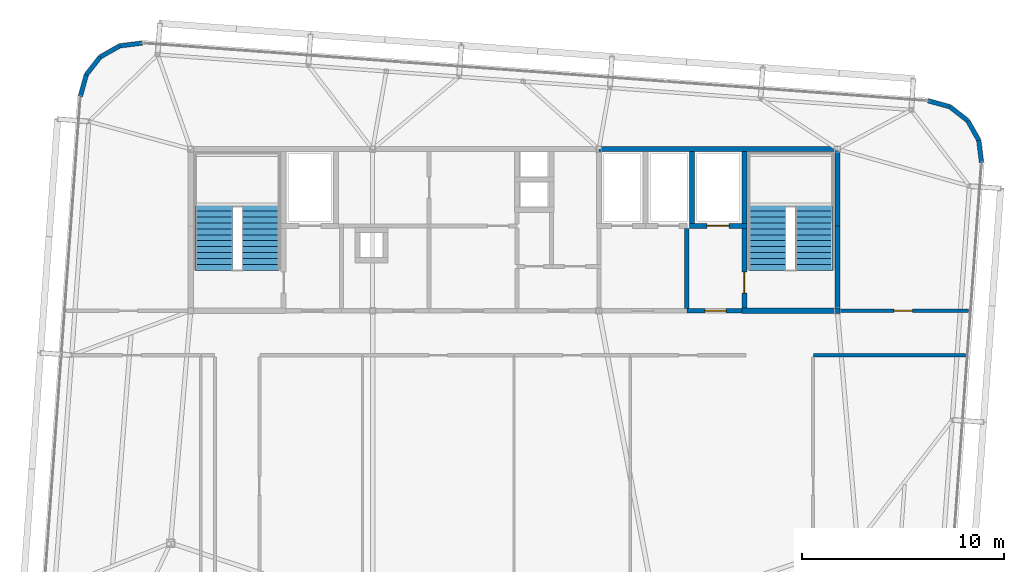
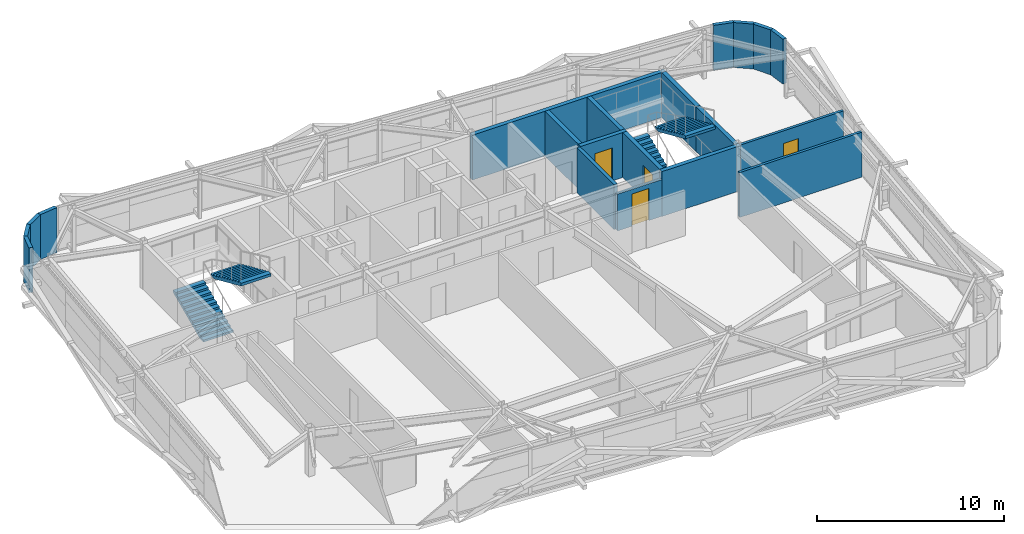
# One storey, part 33 of 34: 20 walls, 4 doors, 4 stair flights, 4 openings, 2 elements without a shape of their own.
"""IFC4 building model written with IfcOpenShell, lengths in metres."""

from ifc_helpers import new_model, si_unit, direction, frame, frame_2d, origin, place, context, subcontext, project, spatial, polyline, rectangle, outline, extrude, source, transform, mapped, material, layer, layer_set, type_object, element, fill, aggregate, save


model = new_model("IFC4")

# Units and contexts
model_context = context("Model", 3, precision=1e-05, world=origin(), true_north=direction((0.0, 1.0)))
body_context = subcontext(model_context, "Body", "Model", "MODEL_VIEW")
ifc_project = project(units=[si_unit("LENGTHUNIT", "METRE"), si_unit("AREAUNIT", "SQUARE_METRE"), si_unit("VOLUMEUNIT", "CUBIC_METRE"), si_unit("PLANEANGLEUNIT", "RADIAN"), si_unit("MASSUNIT", "GRAM", prefix="KILO")], contexts=[model_context])

# Site, building, storey
site_placement = place(None, origin())
site = spatial("IfcSite", under=ifc_project, at=site_placement, CompositionType="ELEMENT")
building_placement = place(site_placement, origin())
building = spatial("IfcBuilding", under=site, at=building_placement, Name="Taldren Reach Tower", CompositionType="ELEMENT")
storey_placement = place(building_placement, frame((0.0, 0.0, 246.050048828125)))
storey = spatial("IfcBuildingStorey", under=building, at=storey_placement, Name="L75", CompositionType="ELEMENT", Elevation=246.050048828125)

# Walls
ifc_material_1 = material(Name="Pale Champagne Anodised Aluminium Cladding", Category="aluminium")
ifc_layer_1 = layer(ifc_material_1, 0.04, Name="Pale Champagne Anodised Aluminium Cladding", Category="aluminium")
ifc_material_2 = material(Name="Mineral Wool Acoustic Insulation", Category="insulation")
ifc_layer_2 = layer(ifc_material_2, 0.06, Name="Mineral Wool Acoustic Insulation", Category="insulation")
ifc_material_3 = material(Name="Steel Gr 350 (C350L0)", Category="steel")
ifc_layer_3 = layer(ifc_material_3, 0.12, Name="Steel Gr 350 (C350L0)", Category="steel")
ifc_layer_set_1 = layer_set([ifc_layer_1, ifc_layer_2, ifc_layer_3], Name="Pale Champagne Aluminium Cladding and Steel Gr 350 Stud Framing")
wall_type_1 = type_object("IfcWallType", Name="EW-CRN-220", PredefinedType="SOLIDWALL", material=ifc_layer_set_1)
shared_shape_1 = source(origin(), body_context, "Body", "SweptSolid", [
    extrude(rectangle(XDim=1.115966796875, YDim=0.219970703125, at=frame_2d((0.55810546875, 0.0))), origin(), (0.0, 0.0, 1.0), 2.929931640625),
])
for number, where, z_axis, x_axis, name in (
    (1, (58.137451171875, 31.328125, 0.0), (0.0, 0.0, 1.0), (-0.122742076028, 0.992438604032, 0.0), "Rounded-corner pale-metal facade wall L75-NE1"),
    (2, (57.4501953125, 33.40625, 0.0), (0.0, 0.0, 1.0), (-0.788597772321, 0.614909386406, 0.0), "Rounded-corner pale-metal facade wall L75-NE3"),
    (3, (14.52099609375, 36.558837890625, 0.0), (0.0, 0.0, 1.0), (-0.614909386406, -0.788597772321, 0.0), "Rounded-corner pale-metal facade wall L75-NW3"),
):
    element("IfcWall", number, at=place(storey_placement, frame(where, z_axis=z_axis, x_axis=x_axis)), inside=storey, type_object=wall_type_1, Name=name, PredefinedType="SOLIDWALL", context=body_context, shape_type="MappedRepresentation", body=[
        mapped(shared_shape_1, transform((0.0, 0.0, 0.0), scale=1.0)),
    ])
shared_shape_2 = source(origin(), body_context, "Body", "SweptSolid", [
    extrude(rectangle(XDim=1.11572265625, YDim=0.219970703125, at=frame_2d((0.557861328125, 0.0))), origin(), (0.0, 0.0, 1.0), 2.929931640625),
])
for number, where, z_axis, x_axis, name in (
    (4, (58.00048828125, 32.435546875, 0.0), (0.0, 0.0, 1.0), (-0.493167138628, 0.869934579941, 0.0), "Rounded-corner pale-metal facade wall L75-NE2"),
    (5, (56.570068359375, 34.092529296875, 0.0), (0.0, 0.0, 1.0), (-0.963833843713, 0.266503886865, 0.0), "Rounded-corner pale-metal facade wall L75-NE4"),
    (6, (15.49169921875, 37.109130859375, 0.0), (0.0, 0.0, 1.0), (-0.869934579941, -0.493167138628, 0.0), "Rounded-corner pale-metal facade wall L75-NW2"),
    (7, (13.834716796875, 35.6787109375, 0.0), (0.0, 0.0, 1.0), (-0.266300605026, -0.963890028874, 0.0), "Rounded-corner pale-metal facade wall L75-NW4"),
):
    element("IfcWall", number, at=place(storey_placement, frame(where, z_axis=z_axis, x_axis=x_axis)), inside=storey, type_object=wall_type_1, Name=name, PredefinedType="SOLIDWALL", context=body_context, shape_type="MappedRepresentation", body=[
        mapped(shared_shape_2, transform((0.0, 0.0, 0.0), scale=1.0)),
    ])
shared_shape_3 = source(origin(), body_context, "Body", "SweptSolid", [
    extrude(rectangle(XDim=1.1162109375, YDim=0.219970703125, at=frame_2d((0.55810546875, 0.0))), origin(), (0.0, 0.0, 1.0), 2.929931640625),
])
wall_1_placement = place(storey_placement, frame((16.599365234375, 37.24609375, 0.0), z_axis=(0.0, 0.0, 1.0), x_axis=(-0.992441899189, -0.122715429897, 0.0)))
element("IfcWall", 8, at=wall_1_placement, inside=storey, type_object=wall_type_1, Name="Rounded-corner pale-metal facade wall L75-NW1", PredefinedType="SOLIDWALL", context=body_context, shape_type="MappedRepresentation", body=[
    mapped(shared_shape_3, transform((0.0, 0.0, 0.0), scale=1.0)),
])
ifc_material_4 = material(Name="Concrete S65 (65 MPa)", Category="concrete")
ifc_layer_4 = layer(ifc_material_4, 0.25)
ifc_layer_set_2 = layer_set([ifc_layer_4], Name="Concrete S65 (65 MPa)")
wall_type_2 = type_object("IfcWallType", Name="IW-CORE-250", PredefinedType="SHEAR", material=ifc_layer_set_2)
shared_shape_4 = source(origin(), body_context, "Body", "SweptSolid", [
    extrude(rectangle(XDim=11.925048828125, YDim=0.25, at=frame_2d((5.96240234375, 0.0))), origin(), (0.0, 0.0, 1.0), 2.929931640625),
])
wall_2_placement = place(storey_placement, frame((39.199951171875, 32.0, 0.0), z_axis=(0.0, 0.0, 1.0), x_axis=(1.0, 0.0, 0.0)))
element("IfcWall", 9, at=wall_2_placement, inside=storey, type_object=wall_type_2, Name="Rear Core Shear Wall W-CORE-L75-NORTH3", PredefinedType="SHEAR", context=body_context, shape_type="MappedRepresentation", body=[
    mapped(shared_shape_4, transform((0.0, 0.0, 0.0), scale=1.0)),
])
shared_shape_5 = source(origin(), body_context, "Body", "SweptSolid", [
    extrude(rectangle(XDim=4.074951171875, YDim=0.25, at=frame_2d((2.03759765625, 0.0))), origin(), (0.0, 0.0, 1.0), 2.929931640625),
])
wall_3_placement = place(storey_placement, frame((51.0, 24.125, 0.0), z_axis=(0.0, 0.0, 1.0), x_axis=(0.0, 1.0, 0.0)))
element("IfcWall", 10, at=wall_3_placement, inside=storey, type_object=wall_type_2, Name="Rear Core Shear Wall W-CORE-L75-EAST1", PredefinedType="SHEAR", context=body_context, shape_type="MappedRepresentation", body=[
    mapped(shared_shape_5, transform((0.0, 0.0, 0.0), scale=1.0)),
])
shared_shape_6 = source(origin(), body_context, "Body", "SweptSolid", [
    extrude(rectangle(XDim=3.675048828125, YDim=0.25, at=frame_2d((1.83740234375, 0.0))), origin(), (0.0, 0.0, 1.0), 2.929931640625),
])
wall_4_placement = place(storey_placement, frame((51.0, 28.199951171875, 0.0), z_axis=(0.0, 0.0, 1.0), x_axis=(0.0, 1.0, 0.0)))
element("IfcWall", 11, at=wall_4_placement, inside=storey, type_object=wall_type_2, Name="Rear Core Shear Wall W-CORE-L75-EAST2", PredefinedType="SHEAR", context=body_context, shape_type="MappedRepresentation", body=[
    mapped(shared_shape_6, transform((0.0, 0.0, 0.0), scale=1.0)),
])
shared_shape_7 = source(origin(), body_context, "Body", "SweptSolid", [
    extrude(rectangle(XDim=3.550048828125, YDim=0.25, at=frame_2d((1.77490234375, 0.0))), origin(), (0.0, 0.0, 1.0), 2.929931640625),
])
for number, where, z_axis, x_axis, name in (
    (12, (46.39990234375, 31.875, 0.0), (0.0, 0.0, 1.0), (0.0, -1.0, 0.0), "Rear Core Shear Wall W-INT-L75-008"),
    (13, (43.800048828125, 31.875, 0.0), (0.0, 0.0, 1.0), (0.0, -1.0, 0.0), "Rear Core Shear Wall W-INT-L75-012"),
):
    element("IfcWall", number, at=place(storey_placement, frame(where, z_axis=z_axis, x_axis=x_axis)), inside=storey, type_object=wall_type_2, Name=name, PredefinedType="SHEAR", context=body_context, shape_type="MappedRepresentation", body=[
        mapped(shared_shape_7, transform((0.0, 0.0, 0.0), scale=1.0)),
    ])

# Wall, opening, door
shared_shape_8 = source(origin(), body_context, "Body", "SweptSolid", [
    extrude(rectangle(XDim=3.949951171875, YDim=0.25, at=frame_2d((1.97509765625, 0.0))), origin(), (0.0, 0.0, 1.0), 2.929931640625),
])
wall_5_placement = place(storey_placement, frame((46.39990234375, 28.074951171875, 0.0), z_axis=(0.0, 0.0, 1.0), x_axis=(0.0, -1.0, 0.0)))
wall_5 = element("IfcWall", 14, at=wall_5_placement, inside=storey, type_object=wall_type_2, Name="Rear Core Shear Wall W-INT-L75-009", PredefinedType="SHEAR", context=body_context, shape_type="MappedRepresentation", body=[
    mapped(shared_shape_8, transform((0.0, 0.0, 0.0), scale=1.0)),
])
shared_shape_9 = source(origin(), body_context, "Body", "SweptSolid", [
    extrude(rectangle(XDim=1.050048828125, YDim=2.10009765625, at=frame_2d((0.52490234375, 1.050048828125))), frame((0.0, 0.135009765625, 0.0), z_axis=(0.0, -1.0, 0.0), x_axis=(1.0, 0.0, 0.0)), (0.0, 0.0, 1.0), 0.27001953125),
])
opening_1_placement = place(wall_5_placement, frame((2.14990234375, 0.0, 0.0)))
opening_1 = element("IfcOpeningElement", 15, at=opening_1_placement, cuts=wall_5, Name="Opening DF-105", PredefinedType="OPENING", context=body_context, shape_type="MappedRepresentation", body=[
    mapped(shared_shape_9, transform((0.0, 0.0, 0.0), scale=1.0)),
])
ifc_material_5 = material(Name="Fire-Rated Care and Stair Exit Door")
door_type_1 = type_object("IfcDoorType", Name="ID-FIRE-105", OperationType="NOTDEFINED", PredefinedType="DOOR", material=ifc_material_5)
shared_shape_10 = source(origin(), body_context, "Body", "SweptSolid", [
    extrude(rectangle(XDim=1.050048828125, YDim=2.10009765625, at=frame_2d((0.52490234375, 1.050048828125))), frame((0.0, 0.02490234375, 0.0), z_axis=(0.0, -1.0, 0.0), x_axis=(1.0, 0.0, 0.0)), (0.0, 0.0, 1.0), 0.050048828125),
])
door_1_placement = place(opening_1_placement, origin())
door_1 = element("IfcDoor", 16, at=door_1_placement, inside=storey, type_object=door_type_1, Name="Fire Exit Stair Door DR-L75-003", OperationType="SINGLE_SWING_RIGHT", OverallHeight=2.10009765625, OverallWidth=1.050048828125, PredefinedType="DOOR", context=body_context, shape_type="MappedRepresentation", body=[
    mapped(shared_shape_10, transform((0.0, 0.0, 0.0), scale=1.0)),
])
fill(opening_1, door_1)

# Wall
shared_shape_11 = source(origin(), body_context, "Body", "SweptSolid", [
    extrude(rectangle(XDim=4.85009765625, YDim=0.25, at=frame_2d((2.425048828125, 0.0))), origin(), (0.0, 0.0, 1.0), 2.929931640625),
])
wall_6_placement = place(storey_placement, frame((46.27490234375, 24.0, 0.0), z_axis=(0.0, 0.0, 1.0), x_axis=(1.0, 0.0, 0.0)))
element("IfcWall", 17, at=wall_6_placement, inside=storey, type_object=wall_type_2, Name="Rear Core Shear Wall W-INT-L75-010", PredefinedType="SHEAR", context=body_context, shape_type="MappedRepresentation", body=[
    mapped(shared_shape_11, transform((0.0, 0.0, 0.0), scale=1.0)),
])

# Wall, opening, door
shared_shape_12 = source(origin(), body_context, "Body", "SweptSolid", [
    extrude(rectangle(XDim=2.849853515625, YDim=0.25, at=frame_2d((1.4248046875, 0.0))), origin(), (0.0, 0.0, 1.0), 2.929931640625),
])
wall_7_placement = place(storey_placement, frame((43.675048828125, 28.199951171875, 0.0), z_axis=(0.0, 0.0, 1.0), x_axis=(1.0, 0.0, 0.0)))
wall_7 = element("IfcWall", 18, at=wall_7_placement, inside=storey, type_object=wall_type_2, Name="Rear Core Shear Wall W-INT-L75-011", PredefinedType="SHEAR", context=body_context, shape_type="MappedRepresentation", body=[
    mapped(shared_shape_12, transform((0.0, 0.0, 0.0), scale=1.0)),
])
shared_shape_13 = source(origin(), body_context, "Body", "SweptSolid", [
    extrude(rectangle(XDim=1.10009765625, YDim=2.14990234375, at=frame_2d((0.550048828125, 1.074951171875))), frame((0.0, 0.135009765625, 0.0), z_axis=(0.0, -1.0, 0.0), x_axis=(1.0, 0.0, 0.0)), (0.0, 0.0, 1.0), 0.27001953125),
])
opening_2_placement = place(wall_7_placement, frame((0.875, 0.0, 0.0)))
opening_2 = element("IfcOpeningElement", 19, at=opening_2_placement, cuts=wall_7, Name="Opening LD-FL2", PredefinedType="OPENING", context=body_context, shape_type="MappedRepresentation", body=[
    mapped(shared_shape_13, transform((0.0, 0.0, 0.0), scale=1.0)),
])
ifc_material_6 = material(Name="Stainless Steel Gr 316 Emergency Lift Landing Door", Category="steel")
door_type_2 = type_object("IfcDoorType", Name="LD-EMG-110", OperationType="SLIDING_TO_LEFT", PredefinedType="DOOR", material=ifc_material_6)
shared_shape_14 = source(origin(), body_context, "Body", "SweptSolid", [
    extrude(rectangle(XDim=1.10009765625, YDim=2.14990234375, at=frame_2d((0.550048828125, 1.074951171875))), frame((0.0, 0.02490234375, 0.0), z_axis=(0.0, -1.0, 0.0), x_axis=(1.0, 0.0, 0.0)), (0.0, 0.0, 1.0), 0.050048828125),
])
door_2_placement = place(opening_2_placement, origin())
door_2 = element("IfcDoor", 20, at=door_2_placement, inside=storey, type_object=door_type_2, Name="Lift Landing Door LD-FL2-L75", OperationType="SLIDING_TO_LEFT", OverallHeight=2.14990234375, OverallWidth=1.10009765625, PredefinedType="DOOR", context=body_context, shape_type="MappedRepresentation", body=[
    mapped(shared_shape_14, transform((0.0, 0.0, 0.0), scale=1.0)),
])
fill(opening_2, door_2)

# Wall
ifc_material_7 = material(Name="Concrete S50 (50 MPa)", Category="concrete")
ifc_layer_5 = layer(ifc_material_7, 0.199951171875)
ifc_layer_set_3 = layer_set([ifc_layer_5], Name="Concrete S50 (50 MPa)")
wall_type_3 = type_object("IfcWallType", Name="IW-CORE-200", PredefinedType="SOLIDWALL", material=ifc_layer_set_3)
shared_shape_15 = source(origin(), body_context, "Body", "SweptSolid", [
    extrude(rectangle(XDim=3.974853515625, YDim=0.199951171875, at=frame_2d((1.9873046875, 0.0))), origin(), (0.0, 0.0, 1.0), 2.929931640625),
])
wall_8_placement = place(storey_placement, frame((43.550048828125, 28.074951171875, 0.0), z_axis=(0.0, 0.0, 1.0), x_axis=(0.0, -1.0, 0.0)))
element("IfcWall", 21, at=wall_8_placement, inside=storey, type_object=wall_type_3, Name="Rear Core Shear Wall W-INT-L75-013", PredefinedType="SOLIDWALL", context=body_context, shape_type="MappedRepresentation", body=[
    mapped(shared_shape_15, transform((0.0, 0.0, 0.0), scale=1.0)),
])

# Wall, opening, door
shared_shape_16 = source(origin(), body_context, "Body", "SweptSolid", [
    extrude(rectangle(XDim=2.724853515625, YDim=0.199951171875, at=frame_2d((1.3623046875, 0.0))), origin(), (0.0, 0.0, 1.0), 2.39697265625),
])
wall_9_placement = place(storey_placement, frame((43.550048828125, 24.0, 0.0), z_axis=(0.0, 0.0, 1.0), x_axis=(1.0, 0.0, 0.0)))
wall_9 = element("IfcWall", 22, at=wall_9_placement, inside=storey, type_object=wall_type_3, Name="Rear Core Shear Wall W-INT-L75-014", PredefinedType="SOLIDWALL", context=body_context, shape_type="MappedRepresentation", body=[
    mapped(shared_shape_16, transform((0.0, 0.0, 0.0), scale=1.0)),
])
shared_shape_17 = source(origin(), body_context, "Body", "SweptSolid", [
    extrude(rectangle(XDim=1.050048828125, YDim=2.10009765625, at=frame_2d((0.52490234375, 1.050048828125))), frame((0.0, 0.10986328125, 0.0), z_axis=(0.0, -1.0, 0.0), x_axis=(1.0, 0.0, 0.0)), (0.0, 0.0, 1.0), 0.219970703125),
])
opening_3_placement = place(wall_9_placement, frame((0.89990234375, 0.0, 0.0)))
opening_3 = element("IfcOpeningElement", 23, at=opening_3_placement, cuts=wall_9, Name="Opening DF-105", PredefinedType="OPENING", context=body_context, shape_type="MappedRepresentation", body=[
    mapped(shared_shape_17, transform((0.0, 0.0, 0.0), scale=1.0)),
])
door_3_placement = place(opening_3_placement, origin())
door_3 = element("IfcDoor", 24, at=door_3_placement, inside=storey, type_object=door_type_1, Name="Interior Door DR-L75-004", OperationType="SINGLE_SWING_LEFT", OverallHeight=2.10009765625, OverallWidth=1.050048828125, PredefinedType="DOOR", context=body_context, shape_type="MappedRepresentation", body=[
    mapped(shared_shape_10, transform((0.0, 0.0, 0.0), scale=1.0)),
])
fill(opening_3, door_3)

ifc_material_8 = material(Name="Fire-Rated Acoustic Plasterboard Stud Wall", Category="gypsum")
ifc_layer_6 = layer(ifc_material_8, 0.159912109375)
ifc_layer_set_4 = layer_set([ifc_layer_6], Name="Fire-Rated Acoustic Plasterboard Stud Wall")
wall_type_4 = type_object("IfcWallType", Name="IW-FIRE-160", PredefinedType="PARTITIONING", material=ifc_layer_set_4)
shared_shape_18 = source(origin(), body_context, "Body", "SweptSolid", [
    extrude(rectangle(XDim=6.378173828125, YDim=0.159912109375, at=frame_2d((3.18896484375, 0.0))), origin(), (0.0, 0.0, 1.0), 2.929931640625),
])
wall_10_placement = place(storey_placement, frame((51.125, 24.0, 0.0), z_axis=(0.0, 0.0, 1.0), x_axis=(1.0, 0.0, 0.0)))
wall_10 = element("IfcWall", 25, at=wall_10_placement, inside=storey, type_object=wall_type_4, Name="Interior Partition Wall W-INT-L75-054", PredefinedType="PARTITIONING", context=body_context, shape_type="MappedRepresentation", body=[
    mapped(shared_shape_18, transform((0.0, 0.0, 0.0), scale=1.0)),
])
shared_shape_19 = source(origin(), body_context, "Body", "SweptSolid", [
    extrude(rectangle(XDim=0.919921875, YDim=2.10009765625, at=frame_2d((0.4599609375, 1.050048828125))), frame((0.0, 0.08984375, 0.0), z_axis=(0.0, -1.0, 0.0), x_axis=(1.0, 0.0, 0.0)), (0.0, 0.0, 1.0), 0.179931640625),
])
opening_4_placement = place(wall_10_placement, frame((2.6767578125, 0.0, 0.0)))
opening_4 = element("IfcOpeningElement", 26, at=opening_4_placement, cuts=wall_10, Name="Opening DI-092", PredefinedType="OPENING", context=body_context, shape_type="MappedRepresentation", body=[
    mapped(shared_shape_19, transform((0.0, 0.0, 0.0), scale=1.0)),
])
ifc_material_9 = material(Name="Solid-Core Timber Suite Door", Category="wood")
door_type_3 = type_object("IfcDoorType", Name="ID-INT-092", OperationType="NOTDEFINED", PredefinedType="DOOR", material=ifc_material_9)
shared_shape_20 = source(origin(), body_context, "Body", "SweptSolid", [
    extrude(rectangle(XDim=0.919921875, YDim=2.10009765625, at=frame_2d((0.4599609375, 1.050048828125))), frame((0.0, 0.02490234375, 0.0), z_axis=(0.0, -1.0, 0.0), x_axis=(1.0, 0.0, 0.0)), (0.0, 0.0, 1.0), 0.050048828125),
])
door_4_placement = place(opening_4_placement, origin())
door_4 = element("IfcDoor", 27, at=door_4_placement, inside=storey, type_object=door_type_3, Name="Interior Door DR-L75-018", OperationType="SINGLE_SWING_LEFT", OverallHeight=2.10009765625, OverallWidth=0.919921875, PredefinedType="DOOR", context=body_context, shape_type="MappedRepresentation", body=[
    mapped(shared_shape_20, transform((0.0, 0.0, 0.0), scale=1.0)),
])
fill(opening_4, door_4)

# Wall
shared_shape_21 = source(origin(), body_context, "Body", "SweptSolid", [
    extrude(rectangle(XDim=7.532958984375, YDim=0.159912109375, at=frame_2d((3.7666015625, 0.0))), origin(), (0.0, 0.0, 1.0), 2.929931640625),
])
wall_11_placement = place(storey_placement, frame((57.353271484375, 21.800048828125, 0.0), z_axis=(0.0, 0.0, 1.0), x_axis=(-1.0, 0.0, 0.0)))
element("IfcWall", 28, at=wall_11_placement, inside=storey, type_object=wall_type_4, Name="Interior Partition Wall W-INT-L75-058", PredefinedType="PARTITIONING", context=body_context, shape_type="MappedRepresentation", body=[
    mapped(shared_shape_21, transform((0.0, 0.0, 0.0), scale=1.0)),
])

# Stair, stair flights
stair_type = type_object("IfcStairType", Name="ST-HT-315", PredefinedType="HALF_TURN_STAIR", material=ifc_material_7)
stair_1_placement = place(storey_placement, origin())
stair_1 = element("IfcStair", 29, at=stair_1_placement, inside=storey, type_object=stair_type, Name="Fire-isolated exit stair ST1 L75", PredefinedType="HALF_TURN_STAIR")
stair_flight_type = type_object("IfcStairFlightType", Name="SF-STR-315", PredefinedType="STRAIGHT", material=ifc_material_7)
stair_flight_1_placement = place(storey_placement, frame((20.139892578125, 25.989990234375, 0.0), z_axis=(0.0, 0.0, 1.0), x_axis=(0.0, 1.0, 0.0)))
stair_flight_1 = element("IfcStairFlight", 30, at=stair_flight_1_placement, type_object=stair_flight_type, Name="ST1 flight 1", NumberOfRisers=12, NumberOfTreads=11, PredefinedType="STRAIGHT", RiserHeight=0.13125, TreadLength=0.295, context=body_context, shape_type="SweptSolid", body=[
    extrude(outline(polyline([(0.0, 0.0), (0.0, 0.13134765625), (0.294921875, 0.13134765625), (0.294921875, 0.262451171875), (0.590087890625, 0.262451171875), (0.590087890625, 0.393798828125), (0.885009765625, 0.393798828125), (0.885009765625, 0.52490234375), (1.179931640625, 0.52490234375), (1.179931640625, 0.65625), (1.47509765625, 0.65625), (1.47509765625, 0.78759765625), (1.77001953125, 0.78759765625), (1.77001953125, 0.918701171875), (2.06494140625, 0.918701171875), (2.06494140625, 1.050048828125), (2.360107421875, 1.050048828125), (2.360107421875, 1.18115234375), (2.655029296875, 1.18115234375), (2.655029296875, 1.3125), (2.949951171875, 1.3125), (2.949951171875, 1.44384765625), (3.2451171875, 1.44384765625), (3.2451171875, 1.574951171875), (3.2451171875, 1.268798828125), (0.393310546875, 0.0), (0.0, 0.0)])), frame((0.0, 0.919921875, 0.0), z_axis=(0.0, -1.0, 0.0), x_axis=(1.0, 0.0, 0.0)), (0.0, 0.0, 1.0), 1.840087890625),
])
stair_flight_2_placement = place(storey_placement, frame((22.4599609375, 29.235107421875, 1.574951171875), z_axis=(0.0, 0.0, 1.0), x_axis=(0.0, -1.0, 0.0)))
stair_flight_2 = element("IfcStairFlight", 31, at=stair_flight_2_placement, type_object=stair_flight_type, Name="ST1 flight 2", NumberOfRisers=12, NumberOfTreads=11, PredefinedType="STRAIGHT", RiserHeight=0.13125, TreadLength=0.295, context=body_context, shape_type="SweptSolid", body=[
    extrude(outline(polyline([(0.0, 0.0), (0.0, 0.13134765625), (0.294921875, 0.13134765625), (0.294921875, 0.262451171875), (0.590087890625, 0.262451171875), (0.590087890625, 0.393798828125), (0.885009765625, 0.393798828125), (0.885009765625, 0.52490234375), (1.179931640625, 0.52490234375), (1.179931640625, 0.65625), (1.47509765625, 0.65625), (1.47509765625, 0.78759765625), (1.77001953125, 0.78759765625), (1.77001953125, 0.918701171875), (2.06494140625, 0.918701171875), (2.06494140625, 1.050048828125), (2.360107421875, 1.050048828125), (2.360107421875, 1.18115234375), (2.655029296875, 1.18115234375), (2.655029296875, 1.3125), (2.949951171875, 1.3125), (2.949951171875, 1.44384765625), (3.2451171875, 1.44384765625), (3.2451171875, 1.574951171875), (3.2451171875, 1.268798828125), (0.393310546875, 0.0), (0.0, 0.0)])), frame((0.0, 0.919921875, 0.0), z_axis=(0.0, -1.0, 0.0), x_axis=(1.0, 0.0, 0.0)), (0.0, 0.0, 1.0), 1.840087890625),
])
aggregate(stair_1, [stair_flight_1, stair_flight_2])

stair_2_placement = place(storey_placement, origin())
stair_2 = element("IfcStair", 32, at=stair_2_placement, inside=storey, type_object=stair_type, Name="Fire-isolated exit stair ST2 L75", PredefinedType="HALF_TURN_STAIR")
stair_flight_3_placement = place(storey_placement, frame((47.5400390625, 25.989990234375, 0.0), z_axis=(0.0, 0.0, 1.0), x_axis=(0.0, 1.0, 0.0)))
stair_flight_3 = element("IfcStairFlight", 33, at=stair_flight_3_placement, type_object=stair_flight_type, Name="ST2 flight 1", NumberOfRisers=12, NumberOfTreads=11, PredefinedType="STRAIGHT", RiserHeight=0.13125, TreadLength=0.295, context=body_context, shape_type="SweptSolid", body=[
    extrude(outline(polyline([(0.0, 0.0), (0.0, 0.13134765625), (0.294921875, 0.13134765625), (0.294921875, 0.262451171875), (0.590087890625, 0.262451171875), (0.590087890625, 0.393798828125), (0.885009765625, 0.393798828125), (0.885009765625, 0.52490234375), (1.179931640625, 0.52490234375), (1.179931640625, 0.65625), (1.47509765625, 0.65625), (1.47509765625, 0.78759765625), (1.77001953125, 0.78759765625), (1.77001953125, 0.918701171875), (2.06494140625, 0.918701171875), (2.06494140625, 1.050048828125), (2.360107421875, 1.050048828125), (2.360107421875, 1.18115234375), (2.655029296875, 1.18115234375), (2.655029296875, 1.3125), (2.949951171875, 1.3125), (2.949951171875, 1.44384765625), (3.2451171875, 1.44384765625), (3.2451171875, 1.574951171875), (3.2451171875, 1.268798828125), (0.393310546875, 0.0), (0.0, 0.0)])), frame((0.0, 0.919921875, 0.0), z_axis=(0.0, -1.0, 0.0), x_axis=(1.0, 0.0, 0.0)), (0.0, 0.0, 1.0), 1.840087890625),
])
stair_flight_4_placement = place(storey_placement, frame((49.860107421875, 29.235107421875, 1.574951171875), z_axis=(0.0, 0.0, 1.0), x_axis=(0.0, -1.0, 0.0)))
stair_flight_4 = element("IfcStairFlight", 34, at=stair_flight_4_placement, type_object=stair_flight_type, Name="ST2 flight 2", NumberOfRisers=12, NumberOfTreads=11, PredefinedType="STRAIGHT", RiserHeight=0.13125, TreadLength=0.295, context=body_context, shape_type="SweptSolid", body=[
    extrude(outline(polyline([(0.0, 0.0), (0.0, 0.13134765625), (0.294921875, 0.13134765625), (0.294921875, 0.262451171875), (0.590087890625, 0.262451171875), (0.590087890625, 0.393798828125), (0.885009765625, 0.393798828125), (0.885009765625, 0.52490234375), (1.179931640625, 0.52490234375), (1.179931640625, 0.65625), (1.47509765625, 0.65625), (1.47509765625, 0.78759765625), (1.77001953125, 0.78759765625), (1.77001953125, 0.918701171875), (2.06494140625, 0.918701171875), (2.06494140625, 1.050048828125), (2.360107421875, 1.050048828125), (2.360107421875, 1.18115234375), (2.655029296875, 1.18115234375), (2.655029296875, 1.3125), (2.949951171875, 1.3125), (2.949951171875, 1.44384765625), (3.2451171875, 1.44384765625), (3.2451171875, 1.574951171875), (3.2451171875, 1.268798828125), (0.393310546875, 0.0), (0.0, 0.0)])), frame((0.0, 0.919921875, 0.0), z_axis=(0.0, -1.0, 0.0), x_axis=(1.0, 0.0, 0.0)), (0.0, 0.0, 1.0), 1.840087890625),
])
aggregate(stair_2, [stair_flight_3, stair_flight_4])

save(model, "model.ifc")
